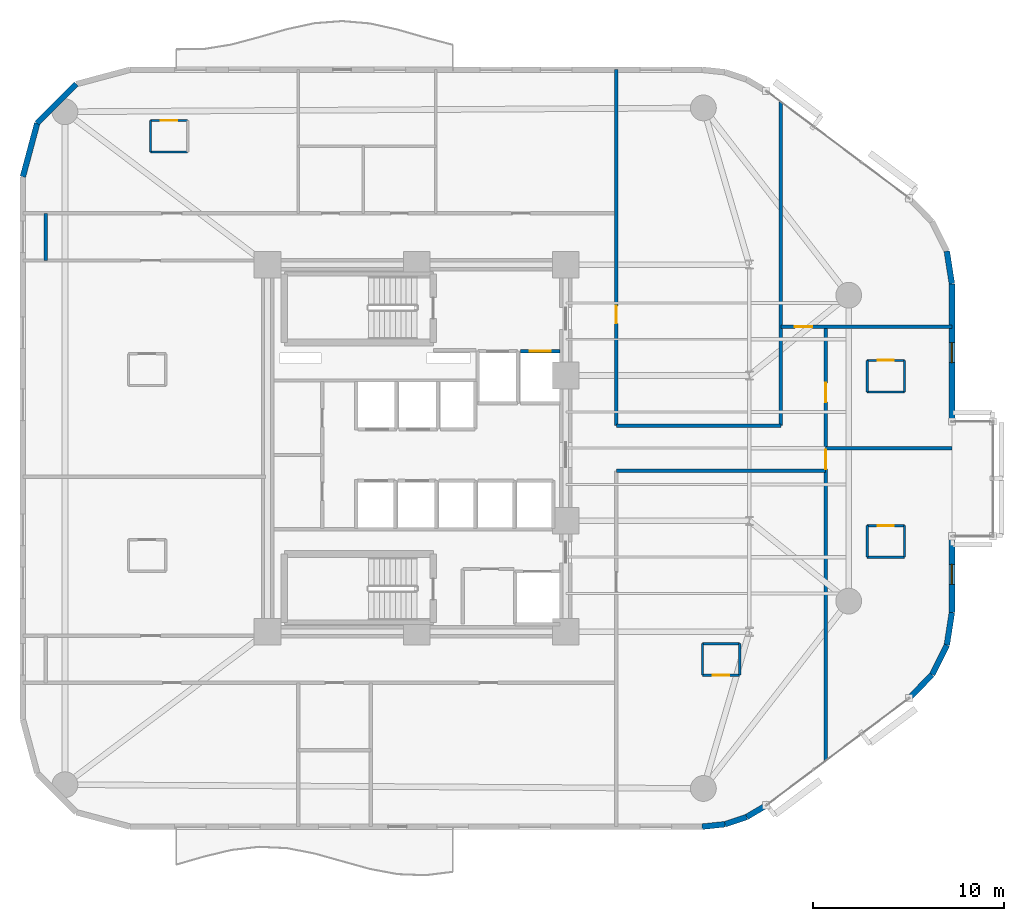
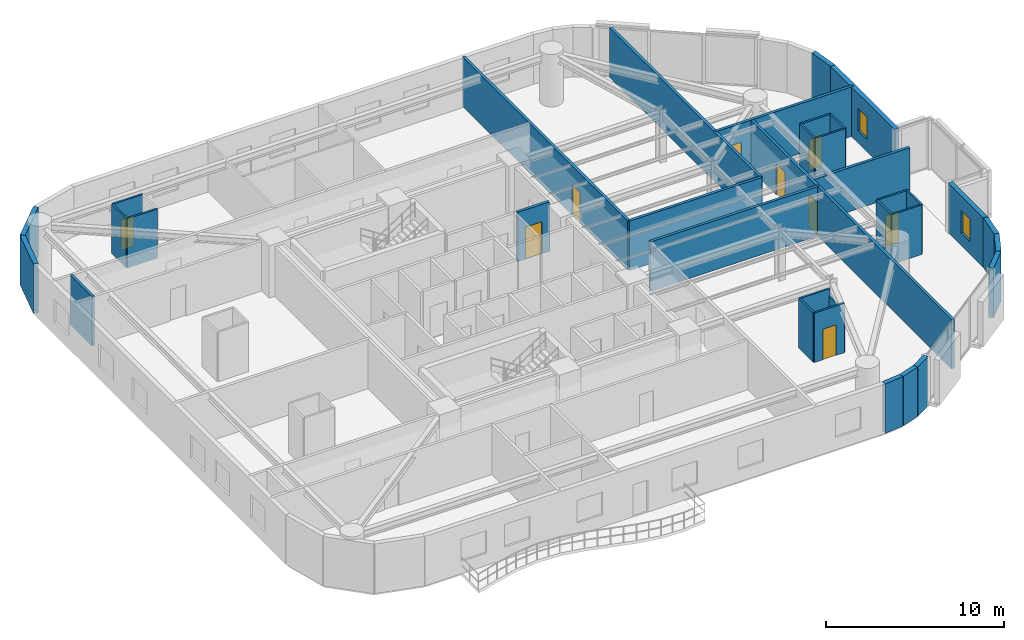
# One storey, part 10 of 14: 35 walls, 9 doors, 2 windows, 11 openings.
"""IFC4 building model written with IfcOpenShell, lengths in metres."""

from ifc_helpers import new_model, si_unit, direction, frame, frame_2d, origin, place, context, subcontext, project, spatial, rectangle, extrude, material, layer, layer_set, type_object, element, fill, save


model = new_model("IFC4")

# Units and contexts
model_context = context("Model", 3, precision=1e-05, world=origin(), true_north=direction((0.0, 1.0)))
body_context = subcontext(model_context, "Body", "Model", "MODEL_VIEW")
ifc_project = project(units=[si_unit("LENGTHUNIT", "METRE"), si_unit("AREAUNIT", "SQUARE_METRE"), si_unit("VOLUMEUNIT", "CUBIC_METRE"), si_unit("PLANEANGLEUNIT", "RADIAN"), si_unit("MASSUNIT", "GRAM", prefix="KILO")], contexts=[model_context])

# Site, building, storey
site_placement = place(None, origin())
site = spatial("IfcSite", under=ifc_project, at=site_placement, CompositionType="ELEMENT")
building_placement = place(site_placement, origin())
building = spatial("IfcBuilding", under=site, at=building_placement, Name="An Khanh Terracotta Commons", CompositionType="ELEMENT")
storey_placement = place(building_placement, frame((0.0, 0.0, 104.300048828125)))
storey = spatial("IfcBuildingStorey", under=building, at=storey_placement, Name="L27", CompositionType="ELEMENT", Elevation=104.300048828125)

# Wall, opening, door
ifc_material_1 = material(Name="Fire-Rated Gypsum Board on Steel Stud", Category="steel")
ifc_layer_1 = layer(ifc_material_1, 0.179931640625, Name="Fire-Rated Gypsum Board on Steel Stud")
ifc_layer_set_1 = layer_set([ifc_layer_1], Name="Fire-Rated Gypsum Board on Steel Stud")
wall_type_1 = type_object("IfcWallType", Name="WALL-CORR-180", PredefinedType="PARTITIONING", material=ifc_layer_set_1)
wall_1_placement = place(storey_placement, frame((34.820068359375, 29.080078125, 0.0), z_axis=(0.0, 0.0, 1.0), x_axis=(1.0, 0.0, 0.0)))
wall_1 = element("IfcWall", 1, at=wall_1_placement, inside=storey, type_object=wall_type_1, Name="L27 Core Wall LSH-L27-FFL-02-N", PredefinedType="PARTITIONING", context=body_context, shape_type="SweptSolid", body=[
    extrude(rectangle(XDim=2.079833984375, YDim=0.179931640625, at=frame_2d((1.0400390625, 0.0))), origin(), (0.0, 0.0, 1.0), 3.39990234375),
])
opening_1_placement = place(wall_1_placement, frame((0.489990234375, 0.0, 0.0)))
opening_1 = element("IfcOpeningElement", 2, at=opening_1_placement, cuts=wall_1, Name="Opening LD-FFL-02-L27", PredefinedType="OPENING", context=body_context, shape_type="SweptSolid", body=[
    extrude(rectangle(XDim=1.10009765625, YDim=2.199951171875, at=frame_2d((0.550048828125, 1.10009765625))), frame((0.0, 0.099853515625, 0.0), z_axis=(0.0, -1.0, 0.0), x_axis=(1.0, 0.0, 0.0)), (0.0, 0.0, 1.0), 0.199951171875),
])
ifc_material_2 = material(Name="Brushed Stainless Steel Fire Landing Door", Category="steel")
door_type_1 = type_object("IfcDoorType", Name="DOOR-LD-FFL-1100", OperationType="NOTDEFINED", PredefinedType="DOOR", material=ifc_material_2)
door_1_placement = place(opening_1_placement, origin())
door_1 = element("IfcDoor", 3, at=door_1_placement, inside=storey, type_object=door_type_1, Name="L27 Lift FFL-02 Sliding Landing Door", OperationType="DOUBLE_DOOR_SLIDING", OverallHeight=2.199951171875, OverallWidth=1.10009765625, PredefinedType="DOOR", context=body_context, shape_type="SweptSolid", body=[
    extrude(rectangle(XDim=1.10009765625, YDim=2.199951171875, at=frame_2d((0.550048828125, 1.10009765625))), frame((0.0, 0.02490234375, 0.0), z_axis=(0.0, -1.0, 0.0), x_axis=(1.0, 0.0, 0.0)), (0.0, 0.0, 1.0), 0.050048828125),
])
fill(opening_1, door_1)

# Walls
wall_2_placement = place(storey_placement, frame((39.85009765625, 22.820068359375, 0.0), z_axis=(0.0, 0.0, 1.0), x_axis=(1.0, 0.0, 0.0)))
element("IfcWall", 4, at=wall_2_placement, inside=storey, type_object=wall_type_1, Name="L27 Interior Partition IW-L27-E005", PredefinedType="PARTITIONING", context=body_context, shape_type="SweptSolid", body=[
    extrude(rectangle(XDim=10.949951171875, YDim=0.179931640625, at=frame_2d((5.47509765625, 0.0))), origin(), (0.0, 0.0, 1.0), 3.39990234375),
])
wall_3_placement = place(storey_placement, frame((50.800048828125, 24.0, 0.0), z_axis=(0.0, 0.0, 1.0), x_axis=(1.0, 0.0, 0.0)))
element("IfcWall", 5, at=wall_3_placement, inside=storey, type_object=wall_type_1, Name="L27 Interior Partition IW-L27-E006", PredefinedType="PARTITIONING", context=body_context, shape_type="SweptSolid", body=[
    extrude(rectangle(XDim=6.599853515625, YDim=0.179931640625, at=frame_2d((3.2998046875, 0.0))), origin(), (0.0, 0.0, 1.0), 3.02197265625),
])
wall_4_placement = place(storey_placement, frame((39.85009765625, 25.179931640625, 0.0), z_axis=(0.0, 0.0, 1.0), x_axis=(1.0, 0.0, 0.0)))
element("IfcWall", 6, at=wall_4_placement, inside=storey, type_object=wall_type_1, Name="L27 Interior Partition IW-L27-E007", PredefinedType="PARTITIONING", context=body_context, shape_type="SweptSolid", body=[
    extrude(rectangle(XDim=8.599853515625, YDim=0.179931640625, at=frame_2d((4.2998046875, 0.0))), origin(), (0.0, 0.0, 1.0), 3.39990234375),
])

# Wall, opening, door
wall_5_placement = place(storey_placement, frame((48.449951171875, 30.35009765625, 0.0), z_axis=(0.0, 0.0, 1.0), x_axis=(1.0, 0.0, 0.0)))
wall_5 = element("IfcWall", 7, at=wall_5_placement, inside=storey, type_object=wall_type_1, Name="L27 Interior Partition IW-L27-E008", PredefinedType="PARTITIONING", context=body_context, shape_type="SweptSolid", body=[
    extrude(rectangle(XDim=8.949951171875, YDim=0.179931640625, at=frame_2d((4.47509765625, 0.0))), origin(), (0.0, 0.0, 1.0), 3.39990234375),
])
opening_2_placement = place(wall_5_placement, frame((0.73291015625, 0.0, 0.0)))
opening_2 = element("IfcOpeningElement", 8, at=opening_2_placement, cuts=wall_5, Name="Opening D-RM", PredefinedType="OPENING", context=body_context, shape_type="SweptSolid", body=[
    extrude(rectangle(XDim=0.919921875, YDim=2.10009765625, at=frame_2d((0.4599609375, 1.050048828125))), frame((0.0, 0.099853515625, 0.0), z_axis=(0.0, -1.0, 0.0), x_axis=(1.0, 0.0, 0.0)), (0.0, 0.0, 1.0), 0.199951171875),
])
ifc_material_3 = material(Name="Engineered Hardwood Timber Leaf", Category="wood")
door_type_2 = type_object("IfcDoorType", Name="DOOR-INT-920", OperationType="NOTDEFINED", PredefinedType="DOOR", material=ifc_material_3)
door_2_placement = place(opening_2_placement, origin())
door_2 = element("IfcDoor", 9, at=door_2_placement, inside=storey, type_object=door_type_2, Name="L27 ZCN Research Study Office Door", OperationType="SINGLE_SWING_RIGHT", OverallHeight=2.10009765625, OverallWidth=0.919921875, PredefinedType="DOOR", context=body_context, shape_type="SweptSolid", body=[
    extrude(rectangle(XDim=0.919921875, YDim=2.10009765625, at=frame_2d((0.4599609375, 1.050048828125))), frame((0.0, 0.02490234375, 0.0), z_axis=(0.0, -1.0, 0.0), x_axis=(1.0, 0.0, 0.0)), (0.0, 0.0, 1.0), 0.050048828125),
])
fill(opening_2, door_2)

# Wall
wall_6_placement = place(storey_placement, frame((10.0, 33.820068359375, 0.0), z_axis=(0.0, 0.0, 1.0), x_axis=(0.0, 1.0, 0.0)))
element("IfcWall", 10, at=wall_6_placement, inside=storey, type_object=wall_type_1, Name="L27 Interior Partition IW-L27-E013", PredefinedType="PARTITIONING", context=body_context, shape_type="SweptSolid", body=[
    extrude(rectangle(XDim=2.4599609375, YDim=0.179931640625, at=frame_2d((1.22998046875, 0.0))), origin(), (0.0, 0.0, 1.0), 3.39990234375),
])

# Wall, opening, door
wall_7_placement = place(storey_placement, frame((39.85009765625, 25.179931640625, 0.0), z_axis=(0.0, 0.0, 1.0), x_axis=(0.0, 1.0, 0.0)))
wall_7 = element("IfcWall", 11, at=wall_7_placement, inside=storey, type_object=wall_type_1, Name="L27 Interior Partition IW-L27-E020", PredefinedType="PARTITIONING", context=body_context, shape_type="SweptSolid", body=[
    extrude(rectangle(XDim=18.6201171875, YDim=0.179931640625, at=frame_2d((9.31005859375, 0.0))), origin(), (0.0, 0.0, 1.0), 3.39990234375),
])
opening_3_placement = place(wall_7_placement, frame((5.35009765625, 0.0, 0.0)))
opening_3 = element("IfcOpeningElement", 12, at=opening_3_placement, cuts=wall_7, Name="Opening D-RM", PredefinedType="OPENING", context=body_context, shape_type="SweptSolid", body=[
    extrude(rectangle(XDim=0.919921875, YDim=2.10009765625, at=frame_2d((0.4599609375, 1.050048828125))), frame((0.0, 0.099853515625, 0.0), z_axis=(0.0, -1.0, 0.0), x_axis=(1.0, 0.0, 0.0)), (0.0, 0.0, 1.0), 0.199951171875),
])
door_3_placement = place(opening_3_placement, origin())
door_3 = element("IfcDoor", 13, at=door_3_placement, inside=storey, type_object=door_type_2, Name="L27 ZW1 Research Study Office Door", OperationType="SINGLE_SWING_RIGHT", OverallHeight=2.10009765625, OverallWidth=0.919921875, PredefinedType="DOOR", context=body_context, shape_type="SweptSolid", body=[
    extrude(rectangle(XDim=0.919921875, YDim=2.10009765625, at=frame_2d((0.4599609375, 1.050048828125))), frame((0.0, 0.02490234375, 0.0), z_axis=(0.0, -1.0, 0.0), x_axis=(1.0, 0.0, 0.0)), (0.0, 0.0, 1.0), 0.050048828125),
])
fill(opening_3, door_3)

# Wall
wall_8_placement = place(storey_placement, frame((48.449951171875, 25.179931640625, 0.0), z_axis=(0.0, 0.0, 1.0), x_axis=(0.0, 1.0, 0.0)))
element("IfcWall", 14, at=wall_8_placement, inside=storey, type_object=wall_type_1, Name="L27 Interior Partition IW-L27-E021", PredefinedType="PARTITIONING", context=body_context, shape_type="SweptSolid", body=[
    extrude(rectangle(XDim=16.93212890625, YDim=0.179931640625, at=frame_2d((8.466064453125, 0.0))), origin(), (0.0, 0.0, 1.0), 3.39990234375),
])

# Wall, openings, doors
wall_9_placement = place(storey_placement, frame((50.800048828125, 7.64990234375, 0.0), z_axis=(0.0, 0.0, 1.0), x_axis=(0.0, 1.0, 0.0)))
wall_9 = element("IfcWall", 15, at=wall_9_placement, inside=storey, type_object=wall_type_1, Name="L27 Interior Partition IW-L27-E022", PredefinedType="PARTITIONING", context=body_context, shape_type="SweptSolid", body=[
    extrude(rectangle(XDim=22.7001953125, YDim=0.179931640625, at=frame_2d((11.35009765625, 0.0))), origin(), (0.0, 0.0, 1.0), 3.39990234375),
])
opening_4_placement = place(wall_9_placement, frame((18.764892578125, 0.0, 0.0)))
opening_4 = element("IfcOpeningElement", 16, at=opening_4_placement, cuts=wall_9, Name="Opening D-UN", PredefinedType="OPENING", context=body_context, shape_type="SweptSolid", body=[
    extrude(rectangle(XDim=1.0, YDim=2.14990234375, at=frame_2d((0.5, 1.074951171875))), frame((0.0, 0.099853515625, 0.0), z_axis=(0.0, -1.0, 0.0), x_axis=(1.0, 0.0, 0.0)), (0.0, 0.0, 1.0), 0.199951171875),
])
opening_5_placement = place(wall_9_placement, frame((15.260009765625, 0.0, 0.0)))
opening_5 = element("IfcOpeningElement", 17, at=opening_5_placement, cuts=wall_9, Name="Opening D-UN", PredefinedType="OPENING", context=body_context, shape_type="SweptSolid", body=[
    extrude(rectangle(XDim=1.0, YDim=2.14990234375, at=frame_2d((0.5, 1.074951171875))), frame((0.0, 0.099853515625, 0.0), z_axis=(0.0, -1.0, 0.0), x_axis=(1.0, 0.0, 0.0)), (0.0, 0.0, 1.0), 0.199951171875),
])
ifc_material_4 = material(Name="Solid-Core Hardwood Acoustic Fire Door", Category="wood")
door_type_3 = type_object("IfcDoorType", Name="DOOR-UNIT-1000", OperationType="NOTDEFINED", PredefinedType="DOOR", material=ifc_material_4)
door_4_placement = place(opening_4_placement, origin())
door_4 = element("IfcDoor", 18, at=door_4_placement, inside=storey, type_object=door_type_3, Name="L27 ZE1 Kitchenette and Studio Apartment Door", OperationType="SINGLE_SWING_LEFT", OverallHeight=2.14990234375, OverallWidth=1.0, PredefinedType="DOOR", context=body_context, shape_type="SweptSolid", body=[
    extrude(rectangle(XDim=1.0, YDim=2.14990234375, at=frame_2d((0.5, 1.074951171875))), frame((0.0, 0.02490234375, 0.0), z_axis=(0.0, -1.0, 0.0), x_axis=(1.0, 0.0, 0.0)), (0.0, 0.0, 1.0), 0.050048828125),
])
fill(opening_4, door_4)
door_5_placement = place(opening_5_placement, origin())
door_5 = element("IfcDoor", 19, at=door_5_placement, inside=storey, type_object=door_type_3, Name="L27 ZE2 Kitchenette and Studio Apartment Door", OperationType="SINGLE_SWING_RIGHT", OverallHeight=2.14990234375, OverallWidth=1.0, PredefinedType="DOOR", context=body_context, shape_type="SweptSolid", body=[
    extrude(rectangle(XDim=1.0, YDim=2.14990234375, at=frame_2d((0.5, 1.074951171875))), frame((0.0, 0.02490234375, 0.0), z_axis=(0.0, -1.0, 0.0), x_axis=(1.0, 0.0, 0.0)), (0.0, 0.0, 1.0), 0.050048828125),
])
fill(opening_5, door_5)

# Walls
ifc_material_5 = material(Name="Precast concrete C40/50", Category="concrete")
ifc_layer_2 = layer(ifc_material_5, 0.300048828125, Name="Precast concrete C40/50")
ifc_layer_set_2 = layer_set([ifc_layer_2], Name="Precast concrete C40/50")
wall_type_2 = type_object("IfcWallType", Name="WALL-EXT-300", PredefinedType="SOLIDWALL", material=ifc_layer_set_2)
wall_10_placement = place(storey_placement, frame((44.3330078125, 4.199951171875, 0.0), z_axis=(0.0, 0.0, 1.0), x_axis=(0.994289103787, 0.106720092254, 0.0)))
element("IfcWall", 20, at=wall_10_placement, inside=storey, type_object=wall_type_2, Name="L27 Insulated Terracotta Exterior Wall 5", PredefinedType="SOLIDWALL", context=body_context, shape_type="SweptSolid", body=[
    extrude(rectangle(XDim=1.19873046875, YDim=0.300048828125, at=frame_2d((0.599365234375, 0.0))), origin(), (0.0, 0.0, 1.0), 3.39990234375),
])
wall_11_placement = place(storey_placement, frame((45.52490234375, 4.327880859375, 0.0), z_axis=(0.0, 0.0, 1.0), x_axis=(0.948744332129, 0.316044604847, 0.0)))
element("IfcWall", 21, at=wall_11_placement, inside=storey, type_object=wall_type_2, Name="L27 Insulated Terracotta Exterior Wall 6", PredefinedType="SOLIDWALL", context=body_context, shape_type="SweptSolid", body=[
    extrude(rectangle(XDim=1.19970703125, YDim=0.300048828125, at=frame_2d((0.599853515625, 0.0))), origin(), (0.0, 0.0, 1.0), 3.39990234375),
])
wall_12_placement = place(storey_placement, frame((46.6630859375, 4.70703125, 0.0), z_axis=(0.0, 0.0, 1.0), x_axis=(0.859320591642, 0.511437308749, 0.0)))
element("IfcWall", 22, at=wall_12_placement, inside=storey, type_object=wall_type_2, Name="L27 Insulated Terracotta Exterior Wall 7", PredefinedType="SOLIDWALL", context=body_context, shape_type="SweptSolid", body=[
    extrude(rectangle(XDim=1.19873046875, YDim=0.300048828125, at=frame_2d((0.599365234375, 0.0))), origin(), (0.0, 0.0, 1.0), 3.39990234375),
])
for number, where, z_axis, x_axis, name in (
    (23, (55.159912109375, 10.919921875, 0.0), (0.0, 0.0, 1.0), (0.6983450845, 0.715761233201, 0.0), "L27 Insulated Terracotta Exterior Wall 9"),
    (24, (56.364013671875, 12.154052734375, 0.0), (0.0, 0.0, 1.0), (0.4472135955, 0.894427191, 0.0), "L27 Insulated Terracotta Exterior Wall 10"),
):
    element("IfcWall", number, at=place(storey_placement, frame(where, z_axis=z_axis, x_axis=x_axis)), inside=storey, type_object=wall_type_2, Name=name, PredefinedType="SOLIDWALL", context=body_context, shape_type="SweptSolid", body=[
        extrude(rectangle(XDim=1.72412109375, YDim=0.300048828125, at=frame_2d((0.862060546875, 0.0))), origin(), (0.0, 0.0, 1.0), 3.39990234375),
    ])
wall_13_placement = place(storey_placement, frame((57.135009765625, 13.696044921875, 0.0), z_axis=(0.0, 0.0, 1.0), x_axis=(0.153620989032, 0.988129845581, 0.0)))
element("IfcWall", 25, at=wall_13_placement, inside=storey, type_object=wall_type_2, Name="L27 Insulated Terracotta Exterior Wall 11", PredefinedType="SOLIDWALL", context=body_context, shape_type="SweptSolid", body=[
    extrude(rectangle(XDim=1.724365234375, YDim=0.300048828125, at=frame_2d((0.8623046875, 0.0))), origin(), (0.0, 0.0, 1.0), 3.39990234375),
])

# Wall, opening, window
wall_14_placement = place(storey_placement, frame((57.39990234375, 15.39990234375, 0.0), z_axis=(0.0, 0.0, 1.0), x_axis=(0.0, 1.0, 0.0)))
wall_14 = element("IfcWall", 26, at=wall_14_placement, inside=storey, type_object=wall_type_2, Name="L27 East Nose Wall South", PredefinedType="SOLIDWALL", context=body_context, shape_type="SweptSolid", body=[
    extrude(rectangle(XDim=4.0, YDim=0.300048828125, at=frame_2d((2.0, 0.0))), origin(), (0.0, 0.0, 1.0), 3.39990234375),
])
opening_6_placement = place(wall_14_placement, frame((1.47509765625, 0.0, 0.85009765625)))
opening_6 = element("IfcOpeningElement", 27, at=opening_6_placement, cuts=wall_14, Name="Opening W-06", PredefinedType="OPENING", context=body_context, shape_type="SweptSolid", body=[
    extrude(rectangle(XDim=1.050048828125, YDim=1.550048828125, at=frame_2d((0.52490234375, 0.77490234375))), frame((0.0, 0.159912109375, 0.0), z_axis=(0.0, -1.0, 0.0), x_axis=(1.0, 0.0, 0.0)), (0.0, 0.0, 1.0), 0.320068359375),
])
ifc_material_6 = material(Name="Thermally Broken Aluminium and Low-E Glass", Category="aluminium")
window_type = type_object("IfcWindowType", Name="WIN-COR-1050x1550", PartitioningType="SINGLE_PANEL", PredefinedType="WINDOW", material=ifc_material_6)
window_1_placement = place(opening_6_placement, origin())
window_1 = element("IfcWindow", 28, at=window_1_placement, inside=storey, type_object=window_type, Name="L27 East Nose South Casement Window", OverallHeight=1.550048828125, OverallWidth=1.050048828125, PartitioningType="SINGLE_PANEL", PredefinedType="WINDOW", context=body_context, shape_type="SweptSolid", body=[
    extrude(rectangle(XDim=1.050048828125, YDim=1.550048828125, at=frame_2d((0.52490234375, 0.77490234375))), frame((0.0, 0.030029296875, 0.0), z_axis=(0.0, -1.0, 0.0), x_axis=(1.0, 0.0, 0.0)), (0.0, 0.0, 1.0), 0.06005859375),
])
fill(opening_6, window_1)

wall_15_placement = place(storey_placement, frame((57.39990234375, 25.39990234375, 0.0), z_axis=(0.0, 0.0, 1.0), x_axis=(0.0, 1.0, 0.0)))
wall_15 = element("IfcWall", 29, at=wall_15_placement, inside=storey, type_object=wall_type_2, Name="L27 East Nose Wall North", PredefinedType="SOLIDWALL", context=body_context, shape_type="SweptSolid", body=[
    extrude(rectangle(XDim=7.2001953125, YDim=0.300048828125, at=frame_2d((3.60009765625, 0.0))), origin(), (0.0, 0.0, 1.0), 3.39990234375),
])
opening_7_placement = place(wall_15_placement, frame((3.074951171875, 0.0, 0.85009765625)))
opening_7 = element("IfcOpeningElement", 30, at=opening_7_placement, cuts=wall_15, Name="Opening W-06", PredefinedType="OPENING", context=body_context, shape_type="SweptSolid", body=[
    extrude(rectangle(XDim=1.050048828125, YDim=1.550048828125, at=frame_2d((0.52490234375, 0.77490234375))), frame((0.0, 0.159912109375, 0.0), z_axis=(0.0, -1.0, 0.0), x_axis=(1.0, 0.0, 0.0)), (0.0, 0.0, 1.0), 0.320068359375),
])
window_2_placement = place(opening_7_placement, origin())
window_2 = element("IfcWindow", 31, at=window_2_placement, inside=storey, type_object=window_type, Name="L27 East Nose North Casement Window", OverallHeight=1.550048828125, OverallWidth=1.050048828125, PartitioningType="SINGLE_PANEL", PredefinedType="WINDOW", context=body_context, shape_type="SweptSolid", body=[
    extrude(rectangle(XDim=1.050048828125, YDim=1.550048828125, at=frame_2d((0.52490234375, 0.77490234375))), frame((0.0, 0.030029296875, 0.0), z_axis=(0.0, -1.0, 0.0), x_axis=(1.0, 0.0, 0.0)), (0.0, 0.0, 1.0), 0.06005859375),
])
fill(opening_7, window_2)

# Walls
wall_16_placement = place(storey_placement, frame((57.39990234375, 32.60009765625, 0.0), z_axis=(0.0, 0.0, 1.0), x_axis=(-0.153620989032, 0.988129845581, 0.0)))
element("IfcWall", 32, at=wall_16_placement, inside=storey, type_object=wall_type_2, Name="L27 Insulated Terracotta Exterior Wall 13", PredefinedType="SOLIDWALL", context=body_context, shape_type="SweptSolid", body=[
    extrude(rectangle(XDim=1.724365234375, YDim=0.300048828125, at=frame_2d((0.8623046875, 0.0))), origin(), (0.0, 0.0, 1.0), 3.39990234375),
])
wall_17_placement = place(storey_placement, frame((11.60009765625, 43.050048828125, 0.0), z_axis=(0.0, 0.0, 1.0), x_axis=(-0.707106781187, -0.707106781187, 0.0)))
element("IfcWall", 33, at=wall_17_placement, inside=storey, type_object=wall_type_2, Name="L27 Insulated Terracotta Exterior Wall 22", PredefinedType="SOLIDWALL", context=body_context, shape_type="SweptSolid", body=[
    extrude(rectangle(XDim=2.899169921875, YDim=0.300048828125, at=frame_2d((1.44970703125, 0.0))), origin(), (0.0, 0.0, 1.0), 3.39990234375),
])
wall_18_placement = place(storey_placement, frame((9.550048828125, 41.0, 0.0), z_axis=(0.0, 0.0, 1.0), x_axis=(-0.258731875344, -0.96594917914, 0.0)))
element("IfcWall", 34, at=wall_18_placement, inside=storey, type_object=wall_type_2, Name="L27 Insulated Terracotta Exterior Wall 23", PredefinedType="SOLIDWALL", context=body_context, shape_type="SweptSolid", body=[
    extrude(rectangle(XDim=2.898681640625, YDim=0.300048828125, at=frame_2d((1.44921875, 0.0))), origin(), (0.0, 0.0, 1.0), 3.39990234375),
])
ifc_material_7 = material(Name="Moisture-Resistant Cement Board Partition")
ifc_layer_3 = layer(ifc_material_7, 0.1201171875, Name="Moisture-Resistant Cement Board Partition")
ifc_layer_set_3 = layer_set([ifc_layer_3], Name="Moisture-Resistant Cement Board Partition")
wall_type_3 = type_object("IfcWallType", Name="WALL-WET-120", PredefinedType="PARTITIONING", material=ifc_layer_set_3)
wall_19_placement = place(storey_placement, frame((44.35009765625, 13.77490234375, 0.0), z_axis=(0.0, 0.0, 1.0), x_axis=(1.0, 0.0, 0.0)))
element("IfcWall", 35, at=wall_19_placement, inside=storey, type_object=wall_type_3, Name="L27 Interior Partition IW-L27-ZW2-BN", PredefinedType="PARTITIONING", context=body_context, shape_type="SweptSolid", body=[
    extrude(rectangle(XDim=1.949951171875, YDim=0.1201171875, at=frame_2d((0.97509765625, 0.0))), origin(), (0.0, 0.0, 1.0), 3.39990234375),
])

# Wall, opening, door
wall_20_placement = place(storey_placement, frame((46.300048828125, 12.125, 0.0), z_axis=(0.0, 0.0, 1.0), x_axis=(-1.0, 0.0, 0.0)))
wall_20 = element("IfcWall", 36, at=wall_20_placement, inside=storey, type_object=wall_type_3, Name="L27 Interior Partition IW-L27-ZW2-BS", PredefinedType="PARTITIONING", context=body_context, shape_type="SweptSolid", body=[
    extrude(rectangle(XDim=1.949951171875, YDim=0.1201171875, at=frame_2d((0.97509765625, 0.0))), origin(), (0.0, 0.0, 1.0), 3.39990234375),
])
opening_8_placement = place(wall_20_placement, frame((0.544921875, 0.0, 0.0)))
opening_8 = element("IfcOpeningElement", 37, at=opening_8_placement, cuts=wall_20, Name="Opening D-ENS", PredefinedType="OPENING", context=body_context, shape_type="SweptSolid", body=[
    extrude(rectangle(XDim=0.860107421875, YDim=2.10009765625, at=frame_2d((0.43017578125, 1.050048828125))), frame((0.0, 0.070068359375, 0.0), z_axis=(0.0, -1.0, 0.0), x_axis=(1.0, 0.0, 0.0)), (0.0, 0.0, 1.0), 0.14013671875),
])
ifc_material_8 = material(Name="Moisture-Resistant Hardwood Timber Leaf", Category="wood")
door_type_4 = type_object("IfcDoorType", Name="DOOR-BATH-860", OperationType="NOTDEFINED", PredefinedType="DOOR", material=ifc_material_8)
door_6_placement = place(opening_8_placement, origin())
door_6 = element("IfcDoor", 38, at=door_6_placement, inside=storey, type_object=door_type_4, Name="L27 Studio ZW2 En-suite Door", OperationType="SINGLE_SWING_LEFT", OverallHeight=2.10009765625, OverallWidth=0.860107421875, PredefinedType="DOOR", context=body_context, shape_type="SweptSolid", body=[
    extrude(rectangle(XDim=0.860107421875, YDim=2.10009765625, at=frame_2d((0.43017578125, 1.050048828125))), frame((0.0, 0.02490234375, 0.0), z_axis=(0.0, -1.0, 0.0), x_axis=(1.0, 0.0, 0.0)), (0.0, 0.0, 1.0), 0.050048828125),
])
fill(opening_8, door_6)

# Walls
wall_21_placement = place(storey_placement, frame((44.35009765625, 13.77490234375, 0.0), z_axis=(0.0, 0.0, 1.0), x_axis=(0.0, -1.0, 0.0)))
element("IfcWall", 39, at=wall_21_placement, inside=storey, type_object=wall_type_3, Name="L27 Interior Partition IW-L27-ZW2-BW", PredefinedType="PARTITIONING", context=body_context, shape_type="SweptSolid", body=[
    extrude(rectangle(XDim=1.64990234375, YDim=0.1201171875, at=frame_2d((0.824951171875, 0.0))), origin(), (0.0, 0.0, 1.0), 3.39990234375),
])
wall_22_placement = place(storey_placement, frame((46.300048828125, 12.125, 0.0), z_axis=(0.0, 0.0, 1.0), x_axis=(0.0, 1.0, 0.0)))
element("IfcWall", 40, at=wall_22_placement, inside=storey, type_object=wall_type_3, Name="L27 Interior Partition IW-L27-ZW2-BE", PredefinedType="PARTITIONING", context=body_context, shape_type="SweptSolid", body=[
    extrude(rectangle(XDim=1.64990234375, YDim=0.1201171875, at=frame_2d((0.824951171875, 0.0))), origin(), (0.0, 0.0, 1.0), 2.8818359375),
])

# Wall, opening, door
wall_23_placement = place(storey_placement, frame((52.965087890625, 28.590087890625, 0.0), z_axis=(0.0, 0.0, 1.0), x_axis=(1.0, 0.0, 0.0)))
wall_23 = element("IfcWall", 41, at=wall_23_placement, inside=storey, type_object=wall_type_3, Name="L27 Interior Partition IW-L27-ZE1-BN", PredefinedType="PARTITIONING", context=body_context, shape_type="SweptSolid", body=[
    extrude(rectangle(XDim=1.949951171875, YDim=0.1201171875, at=frame_2d((0.97509765625, 0.0))), origin(), (0.0, 0.0, 1.0), 3.39990234375),
])
opening_9_placement = place(wall_23_placement, frame((0.544921875, 0.0, 0.0)))
opening_9 = element("IfcOpeningElement", 42, at=opening_9_placement, cuts=wall_23, Name="Opening D-ENS", PredefinedType="OPENING", context=body_context, shape_type="SweptSolid", body=[
    extrude(rectangle(XDim=0.860107421875, YDim=2.10009765625, at=frame_2d((0.43017578125, 1.050048828125))), frame((0.0, 0.070068359375, 0.0), z_axis=(0.0, -1.0, 0.0), x_axis=(1.0, 0.0, 0.0)), (0.0, 0.0, 1.0), 0.14013671875),
])
door_7_placement = place(opening_9_placement, origin())
door_7 = element("IfcDoor", 43, at=door_7_placement, inside=storey, type_object=door_type_4, Name="L27 Studio ZE1 En-suite Door", OperationType="SINGLE_SWING_RIGHT", OverallHeight=2.10009765625, OverallWidth=0.860107421875, PredefinedType="DOOR", context=body_context, shape_type="SweptSolid", body=[
    extrude(rectangle(XDim=0.860107421875, YDim=2.10009765625, at=frame_2d((0.43017578125, 1.050048828125))), frame((0.0, 0.02490234375, 0.0), z_axis=(0.0, -1.0, 0.0), x_axis=(1.0, 0.0, 0.0)), (0.0, 0.0, 1.0), 0.050048828125),
])
fill(opening_9, door_7)

# Walls
wall_24_placement = place(storey_placement, frame((54.9150390625, 26.93994140625, 0.0), z_axis=(0.0, 0.0, 1.0), x_axis=(-1.0, 0.0, 0.0)))
element("IfcWall", 44, at=wall_24_placement, inside=storey, type_object=wall_type_3, Name="L27 Interior Partition IW-L27-ZE1-BS", PredefinedType="PARTITIONING", context=body_context, shape_type="SweptSolid", body=[
    extrude(rectangle(XDim=1.949951171875, YDim=0.1201171875, at=frame_2d((0.97509765625, 0.0))), origin(), (0.0, 0.0, 1.0), 3.39990234375),
])
for number, where, z_axis, x_axis, name in (
    (45, (52.965087890625, 28.590087890625, 0.0), (0.0, 0.0, 1.0), (0.0, -1.0, 0.0), "L27 Interior Partition IW-L27-ZE1-BW"),
    (46, (54.9150390625, 26.93994140625, 0.0), (0.0, 0.0, 1.0), (0.0, 1.0, 0.0), "L27 Interior Partition IW-L27-ZE1-BE"),
):
    element("IfcWall", number, at=place(storey_placement, frame(where, z_axis=z_axis, x_axis=x_axis)), inside=storey, type_object=wall_type_3, Name=name, PredefinedType="PARTITIONING", context=body_context, shape_type="SweptSolid", body=[
        extrude(rectangle(XDim=1.650146484375, YDim=0.1201171875, at=frame_2d((0.8251953125, 0.0))), origin(), (0.0, 0.0, 1.0), 3.39990234375),
    ])

# Wall, opening, door
wall_25_placement = place(storey_placement, frame((52.965087890625, 19.947021484375, 0.0), z_axis=(0.0, 0.0, 1.0), x_axis=(1.0, 0.0, 0.0)))
wall_25 = element("IfcWall", 47, at=wall_25_placement, inside=storey, type_object=wall_type_3, Name="L27 Interior Partition IW-L27-ZE2-BN", PredefinedType="PARTITIONING", context=body_context, shape_type="SweptSolid", body=[
    extrude(rectangle(XDim=1.949951171875, YDim=0.1201171875, at=frame_2d((0.97509765625, 0.0))), origin(), (0.0, 0.0, 1.0), 3.39990234375),
])
opening_10_placement = place(wall_25_placement, frame((0.544921875, 0.0, 0.0)))
opening_10 = element("IfcOpeningElement", 48, at=opening_10_placement, cuts=wall_25, Name="Opening D-ENS", PredefinedType="OPENING", context=body_context, shape_type="SweptSolid", body=[
    extrude(rectangle(XDim=0.860107421875, YDim=2.10009765625, at=frame_2d((0.43017578125, 1.050048828125))), frame((0.0, 0.070068359375, 0.0), z_axis=(0.0, -1.0, 0.0), x_axis=(1.0, 0.0, 0.0)), (0.0, 0.0, 1.0), 0.14013671875),
])
door_8_placement = place(opening_10_placement, origin())
door_8 = element("IfcDoor", 49, at=door_8_placement, inside=storey, type_object=door_type_4, Name="L27 Studio ZE2 En-suite Door", OperationType="SINGLE_SWING_LEFT", OverallHeight=2.10009765625, OverallWidth=0.860107421875, PredefinedType="DOOR", context=body_context, shape_type="SweptSolid", body=[
    extrude(rectangle(XDim=0.860107421875, YDim=2.10009765625, at=frame_2d((0.43017578125, 1.050048828125))), frame((0.0, 0.02490234375, 0.0), z_axis=(0.0, -1.0, 0.0), x_axis=(1.0, 0.0, 0.0)), (0.0, 0.0, 1.0), 0.050048828125),
])
fill(opening_10, door_8)

# Walls
wall_26_placement = place(storey_placement, frame((54.9150390625, 18.297119140625, 0.0), z_axis=(0.0, 0.0, 1.0), x_axis=(-1.0, 0.0, 0.0)))
element("IfcWall", 50, at=wall_26_placement, inside=storey, type_object=wall_type_3, Name="L27 Interior Partition IW-L27-ZE2-BS", PredefinedType="PARTITIONING", context=body_context, shape_type="SweptSolid", body=[
    extrude(rectangle(XDim=1.949951171875, YDim=0.1201171875, at=frame_2d((0.97509765625, 0.0))), origin(), (0.0, 0.0, 1.0), 3.39990234375),
])
for number, where, z_axis, x_axis, name in (
    (51, (52.965087890625, 19.947021484375, 0.0), (0.0, 0.0, 1.0), (0.0, -1.0, 0.0), "L27 Interior Partition IW-L27-ZE2-BW"),
    (52, (54.9150390625, 18.297119140625, 0.0), (0.0, 0.0, 1.0), (0.0, 1.0, 0.0), "L27 Interior Partition IW-L27-ZE2-BE"),
):
    element("IfcWall", number, at=place(storey_placement, frame(where, z_axis=z_axis, x_axis=x_axis)), inside=storey, type_object=wall_type_3, Name=name, PredefinedType="PARTITIONING", context=body_context, shape_type="SweptSolid", body=[
        extrude(rectangle(XDim=1.64990234375, YDim=0.1201171875, at=frame_2d((0.824951171875, 0.0))), origin(), (0.0, 0.0, 1.0), 3.39990234375),
    ])

# Wall, opening, door
wall_27_placement = place(storey_placement, frame((15.47412109375, 41.14208984375, 0.0), z_axis=(0.0, 0.0, 1.0), x_axis=(1.0, 0.0, 0.0)))
wall_27 = element("IfcWall", 53, at=wall_27_placement, inside=storey, type_object=wall_type_3, Name="L27 Interior Partition IW-L27-NW1-BN", PredefinedType="PARTITIONING", context=body_context, shape_type="SweptSolid", body=[
    extrude(rectangle(XDim=1.949951171875, YDim=0.1201171875, at=frame_2d((0.97509765625, 0.0))), origin(), (0.0, 0.0, 1.0), 3.39990234375),
])
opening_11_placement = place(wall_27_placement, frame((0.544921875, 0.0, 0.0)))
opening_11 = element("IfcOpeningElement", 54, at=opening_11_placement, cuts=wall_27, Name="Opening D-ENS", PredefinedType="OPENING", context=body_context, shape_type="SweptSolid", body=[
    extrude(rectangle(XDim=0.860107421875, YDim=2.10009765625, at=frame_2d((0.43017578125, 1.050048828125))), frame((0.0, 0.070068359375, 0.0), z_axis=(0.0, -1.0, 0.0), x_axis=(1.0, 0.0, 0.0)), (0.0, 0.0, 1.0), 0.14013671875),
])
door_9_placement = place(opening_11_placement, origin())
door_9 = element("IfcDoor", 55, at=door_9_placement, inside=storey, type_object=door_type_4, Name="L27 Studio NW1 En-suite Door", OperationType="SINGLE_SWING_RIGHT", OverallHeight=2.10009765625, OverallWidth=0.860107421875, PredefinedType="DOOR", context=body_context, shape_type="SweptSolid", body=[
    extrude(rectangle(XDim=0.860107421875, YDim=2.10009765625, at=frame_2d((0.43017578125, 1.050048828125))), frame((0.0, 0.02490234375, 0.0), z_axis=(0.0, -1.0, 0.0), x_axis=(1.0, 0.0, 0.0)), (0.0, 0.0, 1.0), 0.050048828125),
])
fill(opening_11, door_9)

# Walls
wall_28_placement = place(storey_placement, frame((17.424072265625, 39.491943359375, 0.0), z_axis=(0.0, 0.0, 1.0), x_axis=(-1.0, 0.0, 0.0)))
element("IfcWall", 56, at=wall_28_placement, inside=storey, type_object=wall_type_3, Name="L27 Interior Partition IW-L27-NW1-BS", PredefinedType="PARTITIONING", context=body_context, shape_type="SweptSolid", body=[
    extrude(rectangle(XDim=1.949951171875, YDim=0.1201171875, at=frame_2d((0.97509765625, 0.0))), origin(), (0.0, 0.0, 1.0), 3.39990234375),
])
wall_29_placement = place(storey_placement, frame((15.47412109375, 41.14208984375, 0.0), z_axis=(0.0, 0.0, 1.0), x_axis=(0.0, -1.0, 0.0)))
element("IfcWall", 57, at=wall_29_placement, inside=storey, type_object=wall_type_3, Name="L27 Interior Partition IW-L27-NW1-BW", PredefinedType="PARTITIONING", context=body_context, shape_type="SweptSolid", body=[
    extrude(rectangle(XDim=1.650146484375, YDim=0.1201171875, at=frame_2d((0.8251953125, 0.0))), origin(), (0.0, 0.0, 1.0), 3.39990234375),
])

save(model, "model.ifc")
